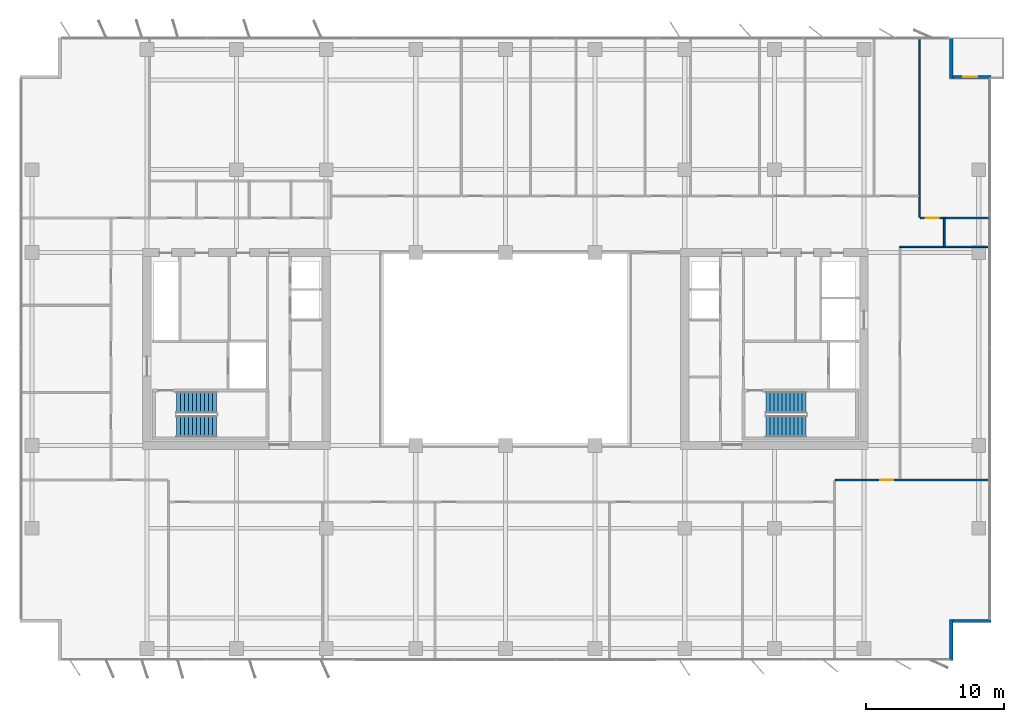
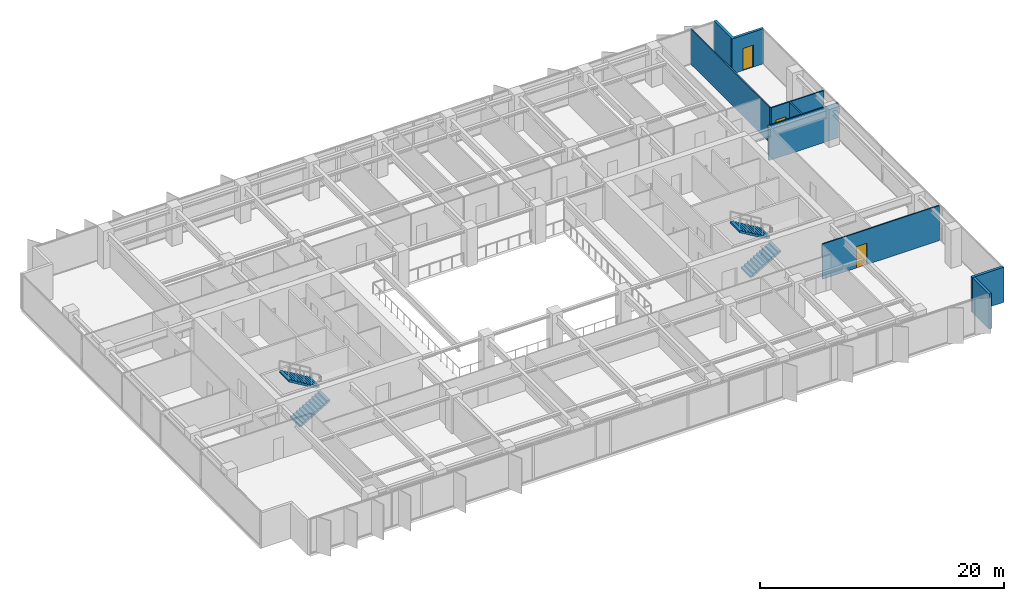
# One storey, part 18 of 22: 9 walls, 4 stair flights, 3 doors, 3 openings, 2 elements without a shape of their own.
"""IFC4 building model written with IfcOpenShell, lengths in metres."""

from ifc_helpers import new_model, si_unit, direction, frame, frame_2d, origin, place, context, subcontext, project, spatial, polyline, rectangle, outline, extrude, material, layer, layer_set, type_object, element, fill, aggregate, save


model = new_model("IFC4")

# Units and contexts
model_context = context("Model", 3, precision=1e-05, world=origin(), true_north=direction((0.0, 1.0)))
body_context = subcontext(model_context, "Body", "Model", "MODEL_VIEW")
ifc_project = project(units=[si_unit("LENGTHUNIT", "METRE"), si_unit("AREAUNIT", "SQUARE_METRE"), si_unit("VOLUMEUNIT", "CUBIC_METRE"), si_unit("PLANEANGLEUNIT", "RADIAN"), si_unit("MASSUNIT", "GRAM", prefix="KILO")], contexts=[model_context])

# Site, building, storey
site_placement = place(None, origin())
site = spatial("IfcSite", under=ifc_project, at=site_placement, CompositionType="ELEMENT")
building_placement = place(site_placement, origin())
building = spatial("IfcBuilding", under=site, at=building_placement, Name="Putna Gate Headquarters", CompositionType="ELEMENT")
storey_placement = place(building_placement, frame((0.0, 0.0, 193.60009765625)))
storey = spatial("IfcBuildingStorey", under=building, at=storey_placement, Name="L48", CompositionType="ELEMENT", Elevation=193.60009765625)

# Wall
ifc_material_1 = material(Name="Precast concrete C40/50", Category="concrete")
ifc_layer_1 = layer(ifc_material_1, 0.239990234375)
ifc_layer_set_1 = layer_set([ifc_layer_1], Name="Precast concrete C40/50")
wall_type_1 = type_object("IfcWallType", Name="WALL-EXT-TERR-240", PredefinedType="STANDARD", material=ifc_layer_set_1)
wall_1_placement = place(storey_placement, frame((71.320068359375, 48.60009765625, 0.0), z_axis=(0.0, 0.0, 1.0), x_axis=(0.0, -1.0, 0.0)))
element("IfcWall", 1, at=wall_1_placement, inside=storey, type_object=wall_type_1, Name="L48 Corner Notch Return Wall NE-V", PredefinedType="STANDARD", context=body_context, shape_type="SweptSolid", body=[
    extrude(rectangle(XDim=3.0, YDim=0.239990234375, at=frame_2d((1.5, 0.0))), origin(), (0.0, 0.0, 1.0), 3.52001953125),
])

# Wall, opening, door
wall_2_placement = place(storey_placement, frame((71.199951171875, 45.719970703125, 0.0), z_axis=(0.0, 0.0, 1.0), x_axis=(1.0, 0.0, 0.0)))
wall_2 = element("IfcWall", 2, at=wall_2_placement, inside=storey, type_object=wall_type_1, Name="L48 Corner Notch Return Wall NE-H", PredefinedType="STANDARD", context=body_context, shape_type="SweptSolid", body=[
    extrude(rectangle(XDim=3.0, YDim=0.239990234375, at=frame_2d((1.5, 0.0))), origin(), (0.0, 0.0, 1.0), 3.52001953125),
])
opening_1_placement = place(wall_2_placement, frame((1.0, 0.0, 0.0)))
opening_1 = element("IfcOpeningElement", 3, at=opening_1_placement, cuts=wall_2, Name="Opening TRD-1", PredefinedType="OPENING", context=body_context, shape_type="SweptSolid", body=[
    extrude(rectangle(XDim=1.0, YDim=2.199951171875, at=frame_2d((0.5, 1.10009765625))), frame((0.0, 0.1298828125, 0.0), z_axis=(0.0, -1.0, 0.0), x_axis=(1.0, 0.0, 0.0)), (0.0, 0.0, 1.0), 0.260009765625),
])
ifc_material_2 = material(Name="Thermally broken bronze glazed terrace door")
door_type_1 = type_object("IfcDoorType", Name="DOOR-TERR-EXT-1000", OperationType="NOTDEFINED", PredefinedType="DOOR", material=ifc_material_2)
door_1_placement = place(opening_1_placement, origin())
door_1 = element("IfcDoor", 4, at=door_1_placement, inside=storey, type_object=door_type_1, Name="L48 Spiral Sky Terrace Door NE", OperationType="SINGLE_SWING_LEFT", OverallHeight=2.199951171875, OverallWidth=1.0, PredefinedType="DOOR", context=body_context, shape_type="SweptSolid", body=[
    extrude(rectangle(XDim=1.0, YDim=2.199951171875, at=frame_2d((0.5, 1.10009765625))), frame((0.0, 0.02490234375, 0.0), z_axis=(0.0, -1.0, 0.0), x_axis=(1.0, 0.0, 0.0)), (0.0, 0.0, 1.0), 0.050048828125),
])
fill(opening_1, door_1)

# Walls
for number, where, z_axis, x_axis, name in (
    (5, (71.320068359375, 6.39990234375, 0.0), (0.0, 0.0, 1.0), (0.0, -1.0, 0.0), "L48 Corner Notch Return Wall SE-V"),
    (6, (74.199951171875, 6.280029296875, 0.0), (0.0, 0.0, 1.0), (-1.0, 0.0, 0.0), "L48 Corner Notch Return Wall SE-H"),
):
    element("IfcWall", number, at=place(storey_placement, frame(where, z_axis=z_axis, x_axis=x_axis)), inside=storey, type_object=wall_type_1, Name=name, PredefinedType="STANDARD", context=body_context, shape_type="SweptSolid", body=[
        extrude(rectangle(XDim=3.0, YDim=0.239990234375, at=frame_2d((1.5, 0.0))), origin(), (0.0, 0.0, 1.0), 3.52001953125),
    ])
ifc_material_3 = material(Name="Acoustic gypsum board on metal stud")
ifc_layer_2 = layer(ifc_material_3, 0.1201171875)
ifc_layer_set_2 = layer_set([ifc_layer_2], Name="Acoustic gypsum board on metal stud")
wall_type_2 = type_object("IfcWallType", Name="WALL-PART-120", PredefinedType="PARTITIONING", material=ifc_layer_set_2)
wall_3_placement = place(storey_placement, frame((69.013427734375, 35.56005859375, 0.0), z_axis=(0.0, 0.0, 1.0), x_axis=(0.0, 1.0, 0.0)))
element("IfcWall", 7, at=wall_3_placement, inside=storey, type_object=wall_type_2, Name="L48 Interior Wall PART-L48-NB-DIV-10", PredefinedType="PARTITIONING", context=body_context, shape_type="SweptSolid", body=[
    extrude(rectangle(XDim=13.02001953125, YDim=0.1201171875, at=frame_2d((6.510009765625, 0.0))), origin(), (0.0, 0.0, 1.0), 3.52001953125),
])
ifc_material_4 = material(Name="Fire-rated gypsum board on metal stud")
ifc_layer_3 = layer(ifc_material_4, 0.1201171875)
ifc_layer_set_3 = layer_set([ifc_layer_3], Name="Fire-rated gypsum board on metal stud")
wall_type_3 = type_object("IfcWallType", Name="WALL-PART-120-RATED", PredefinedType="PARTITIONING", material=ifc_layer_set_3)
wall_4_placement = place(storey_placement, frame((70.8134765625, 33.39990234375, 0.0), z_axis=(0.0, 0.0, 1.0), x_axis=(0.0, 1.0, 0.0)))
element("IfcWall", 8, at=wall_4_placement, inside=storey, type_object=wall_type_3, Name="L48 Interior Wall PART-L48-CORRN-CAPE", PredefinedType="PARTITIONING", context=body_context, shape_type="SweptSolid", body=[
    extrude(rectangle(XDim=2.10009765625, YDim=0.1201171875, at=frame_2d((1.050048828125, 0.0))), origin(), (0.0, 0.0, 1.0), 3.52001953125),
])

# Wall, opening, door
wall_5_placement = place(storey_placement, frame((69.073486328125, 35.5, 0.0), z_axis=(0.0, 0.0, 1.0), x_axis=(1.0, 0.0, 0.0)))
wall_5 = element("IfcWall", 9, at=wall_5_placement, inside=storey, type_object=wall_type_3, Name="L48 Interior Wall PART-L48-NB-CW-11", PredefinedType="PARTITIONING", context=body_context, shape_type="SweptSolid", body=[
    extrude(rectangle(XDim=4.946533203125, YDim=0.1201171875, at=frame_2d((2.47314453125, 0.0))), origin(), (0.0, 0.0, 1.0), 3.52001953125),
])
opening_2_placement = place(wall_5_placement, frame((0.39501953125, 0.0, 0.0)))
opening_2 = element("IfcOpeningElement", 10, at=opening_2_placement, cuts=wall_5, Name="Opening FD-95", PredefinedType="OPENING", context=body_context, shape_type="SweptSolid", body=[
    extrude(rectangle(XDim=0.949951171875, YDim=2.14990234375, at=frame_2d((0.47509765625, 1.074951171875))), frame((0.0, 0.070068359375, 0.0), z_axis=(0.0, -1.0, 0.0), x_axis=(1.0, 0.0, 0.0)), (0.0, 0.0, 1.0), 0.14013671875),
])
ifc_material_5 = material(Name="Acoustic timber fire door", Category="wood")
door_type_2 = type_object("IfcDoorType", Name="DOOR-FIRE-950", OperationType="NOTDEFINED", PredefinedType="DOOR", material=ifc_material_5)
door_2_placement = place(opening_2_placement, origin())
door_2 = element("IfcDoor", 11, at=door_2_placement, inside=storey, type_object=door_type_2, Name="L48 Conference Meeting Room 4 Door", OperationType="SINGLE_SWING_RIGHT", OverallHeight=2.14990234375, OverallWidth=0.949951171875, PredefinedType="DOOR", context=body_context, shape_type="SweptSolid", body=[
    extrude(rectangle(XDim=0.949951171875, YDim=2.14990234375, at=frame_2d((0.47509765625, 1.074951171875))), frame((0.0, 0.02490234375, 0.0), z_axis=(0.0, -1.0, 0.0), x_axis=(1.0, 0.0, 0.0)), (0.0, 0.0, 1.0), 0.050048828125),
])
fill(opening_2, door_2)

wall_6_placement = place(storey_placement, frame((62.9296875, 16.5, 0.0), z_axis=(0.0, 0.0, 1.0), x_axis=(1.0, 0.0, 0.0)))
wall_6 = element("IfcWall", 12, at=wall_6_placement, inside=storey, type_object=wall_type_3, Name="L48 Interior Wall PART-L48-SB-CW-07", PredefinedType="PARTITIONING", context=body_context, shape_type="SweptSolid", body=[
    extrude(rectangle(XDim=11.09033203125, YDim=0.1201171875, at=frame_2d((5.545166015625, 0.0))), origin(), (0.0, 0.0, 1.0), 3.52001953125),
])
opening_3_placement = place(wall_6_placement, frame((3.240478515625, 0.0, 0.0)))
opening_3 = element("IfcOpeningElement", 13, at=opening_3_placement, cuts=wall_6, Name="Opening FD-95", PredefinedType="OPENING", context=body_context, shape_type="SweptSolid", body=[
    extrude(rectangle(XDim=0.949951171875, YDim=2.14990234375, at=frame_2d((0.47509765625, 1.074951171875))), frame((0.0, 0.070068359375, 0.0), z_axis=(0.0, -1.0, 0.0), x_axis=(1.0, 0.0, 0.0)), (0.0, 0.0, 1.0), 0.14013671875),
])
door_3_placement = place(opening_3_placement, origin())
door_3 = element("IfcDoor", 14, at=door_3_placement, inside=storey, type_object=door_type_2, Name="L48 Conference Meeting Room 6 Door", OperationType="SINGLE_SWING_LEFT", OverallHeight=2.14990234375, OverallWidth=0.949951171875, PredefinedType="DOOR", context=body_context, shape_type="SweptSolid", body=[
    extrude(rectangle(XDim=0.949951171875, YDim=2.14990234375, at=frame_2d((0.47509765625, 1.074951171875))), frame((0.0, 0.02490234375, 0.0), z_axis=(0.0, -1.0, 0.0), x_axis=(1.0, 0.0, 0.0)), (0.0, 0.0, 1.0), 0.050048828125),
])
fill(opening_3, door_3)

# Wall
wall_7_placement = place(storey_placement, frame((67.60009765625, 33.39990234375, 0.0), z_axis=(0.0, 0.0, 1.0), x_axis=(1.0, 0.0, 0.0)))
element("IfcWall", 15, at=wall_7_placement, inside=storey, type_object=wall_type_3, Name="L48 Interior Wall PART-L48-EW-N-BOUND", PredefinedType="PARTITIONING", context=body_context, shape_type="SweptSolid", body=[
    extrude(rectangle(XDim=6.579833984375, YDim=0.1201171875, at=frame_2d((3.2900390625, 0.0))), origin(), (0.0, 0.0, 1.0), 3.52001953125),
])

# Stair, stair flights
ifc_material_6 = material(Name="Concrete C40/50", Category="concrete")
stair_type_1 = type_object("IfcStairType", Name="STAIR-ST1", PredefinedType="HALF_TURN_STAIR", material=ifc_material_6)
stair_1_placement = place(storey_placement, origin())
stair_1 = element("IfcStair", 16, at=stair_1_placement, inside=storey, type_object=stair_type_1, Name="L48 West Core Exit Stair ST1", PredefinedType="HALF_TURN_STAIR")
stair_flight_type_1 = type_object("IfcStairFlightType", Name="FLIGHT-ST1", PredefinedType="STRAIGHT", material=ifc_material_6)
stair_flight_1_placement = place(storey_placement, frame((15.14990234375, 20.375, 0.0), z_axis=(0.0, 0.0, 1.0), x_axis=(1.0, 0.0, 0.0)))
stair_flight_1 = element("IfcStairFlight", 17, at=stair_flight_1_placement, type_object=stair_flight_type_1, Name="ST1 flight 1", NumberOfRisers=11, NumberOfTreads=10, PredefinedType="STRAIGHT", RiserHeight=0.172727273, TreadLength=0.29, context=body_context, shape_type="SweptSolid", body=[
    extrude(outline(polyline([(0.0, 0.0), (0.0, 0.172607421875), (0.2900390625, 0.172607421875), (0.2900390625, 0.345458984375), (0.580078125, 0.345458984375), (0.580078125, 0.51806640625), (0.8701171875, 0.51806640625), (0.8701171875, 0.69091796875), (1.159912109375, 0.69091796875), (1.159912109375, 0.863525390625), (1.449951171875, 0.863525390625), (1.449951171875, 1.036376953125), (1.739990234375, 1.036376953125), (1.739990234375, 1.208984375), (2.030029296875, 1.208984375), (2.030029296875, 1.3818359375), (2.320068359375, 1.3818359375), (2.320068359375, 1.554443359375), (2.610107421875, 1.554443359375), (2.610107421875, 1.727294921875), (2.89990234375, 1.727294921875), (2.89990234375, 1.89990234375), (2.89990234375, 1.552734375), (0.29296875, 0.0), (0.0, 0.0)])), frame((0.0, 0.77490234375, 0.0), z_axis=(0.0, -1.0, 0.0), x_axis=(1.0, 0.0, 0.0)), (0.0, 0.0, 1.0), 1.550048828125),
])
stair_flight_2_placement = place(storey_placement, frame((18.050048828125, 22.125, 1.89990234375), z_axis=(0.0, 0.0, 1.0), x_axis=(-1.0, 0.0, 0.0)))
stair_flight_2 = element("IfcStairFlight", 18, at=stair_flight_2_placement, type_object=stair_flight_type_1, Name="ST1 flight 2", NumberOfRisers=11, NumberOfTreads=10, PredefinedType="STRAIGHT", RiserHeight=0.172727273, TreadLength=0.29, context=body_context, shape_type="SweptSolid", body=[
    extrude(outline(polyline([(0.0, 0.0), (0.0, 0.172607421875), (0.2900390625, 0.172607421875), (0.2900390625, 0.345458984375), (0.580078125, 0.345458984375), (0.580078125, 0.51806640625), (0.8701171875, 0.51806640625), (0.8701171875, 0.69091796875), (1.159912109375, 0.69091796875), (1.159912109375, 0.863525390625), (1.449951171875, 0.863525390625), (1.449951171875, 1.036376953125), (1.739990234375, 1.036376953125), (1.739990234375, 1.208984375), (2.030029296875, 1.208984375), (2.030029296875, 1.3818359375), (2.320068359375, 1.3818359375), (2.320068359375, 1.554443359375), (2.610107421875, 1.554443359375), (2.610107421875, 1.727294921875), (2.89990234375, 1.727294921875), (2.89990234375, 1.89990234375), (2.89990234375, 1.552734375), (0.29296875, 0.0), (0.0, 0.0)])), frame((0.0, 0.77490234375, 0.0), z_axis=(0.0, -1.0, 0.0), x_axis=(1.0, 0.0, 0.0)), (0.0, 0.0, 1.0), 1.550048828125),
])
aggregate(stair_1, [stair_flight_1, stair_flight_2])

stair_type_2 = type_object("IfcStairType", Name="STAIR-ST2", PredefinedType="HALF_TURN_STAIR", material=ifc_material_6)
stair_2_placement = place(storey_placement, origin())
stair_2 = element("IfcStair", 19, at=stair_2_placement, inside=storey, type_object=stair_type_2, Name="L48 East Core Exit Stair ST2", PredefinedType="HALF_TURN_STAIR")
stair_flight_type_2 = type_object("IfcStairFlightType", Name="FLIGHT-ST2", PredefinedType="STRAIGHT", material=ifc_material_6)
stair_flight_3_placement = place(storey_placement, frame((57.89990234375, 20.375, 0.0), z_axis=(0.0, 0.0, 1.0), x_axis=(1.0, 0.0, 0.0)))
stair_flight_3 = element("IfcStairFlight", 20, at=stair_flight_3_placement, type_object=stair_flight_type_2, Name="ST2 flight 1", NumberOfRisers=11, NumberOfTreads=10, PredefinedType="STRAIGHT", RiserHeight=0.172727273, TreadLength=0.29, context=body_context, shape_type="SweptSolid", body=[
    extrude(outline(polyline([(0.0, 0.0), (0.0, 0.172607421875), (0.2900390625, 0.172607421875), (0.2900390625, 0.345458984375), (0.580078125, 0.345458984375), (0.580078125, 0.51806640625), (0.8701171875, 0.51806640625), (0.8701171875, 0.69091796875), (1.159912109375, 0.69091796875), (1.159912109375, 0.863525390625), (1.449951171875, 0.863525390625), (1.449951171875, 1.036376953125), (1.739990234375, 1.036376953125), (1.739990234375, 1.208984375), (2.030029296875, 1.208984375), (2.030029296875, 1.3818359375), (2.320068359375, 1.3818359375), (2.320068359375, 1.554443359375), (2.610107421875, 1.554443359375), (2.610107421875, 1.727294921875), (2.89990234375, 1.727294921875), (2.89990234375, 1.89990234375), (2.89990234375, 1.552734375), (0.29296875, 0.0), (0.0, 0.0)])), frame((0.0, 0.77490234375, 0.0), z_axis=(0.0, -1.0, 0.0), x_axis=(1.0, 0.0, 0.0)), (0.0, 0.0, 1.0), 1.550048828125),
])
stair_flight_4_placement = place(storey_placement, frame((60.800048828125, 22.125, 1.89990234375), z_axis=(0.0, 0.0, 1.0), x_axis=(-1.0, 0.0, 0.0)))
stair_flight_4 = element("IfcStairFlight", 21, at=stair_flight_4_placement, type_object=stair_flight_type_2, Name="ST2 flight 2", NumberOfRisers=11, NumberOfTreads=10, PredefinedType="STRAIGHT", RiserHeight=0.172727273, TreadLength=0.29, context=body_context, shape_type="SweptSolid", body=[
    extrude(outline(polyline([(0.0, 0.0), (0.0, 0.172607421875), (0.2900390625, 0.172607421875), (0.2900390625, 0.345458984375), (0.580078125, 0.345458984375), (0.580078125, 0.51806640625), (0.8701171875, 0.51806640625), (0.8701171875, 0.69091796875), (1.159912109375, 0.69091796875), (1.159912109375, 0.863525390625), (1.449951171875, 0.863525390625), (1.449951171875, 1.036376953125), (1.739990234375, 1.036376953125), (1.739990234375, 1.208984375), (2.030029296875, 1.208984375), (2.030029296875, 1.3818359375), (2.320068359375, 1.3818359375), (2.320068359375, 1.554443359375), (2.610107421875, 1.554443359375), (2.610107421875, 1.727294921875), (2.89990234375, 1.727294921875), (2.89990234375, 1.89990234375), (2.89990234375, 1.552734375), (0.29296875, 0.0), (0.0, 0.0)])), frame((0.0, 0.77490234375, 0.0), z_axis=(0.0, -1.0, 0.0), x_axis=(1.0, 0.0, 0.0)), (0.0, 0.0, 1.0), 1.550048828125),
])
aggregate(stair_2, [stair_flight_3, stair_flight_4])

save(model, "model.ifc")
